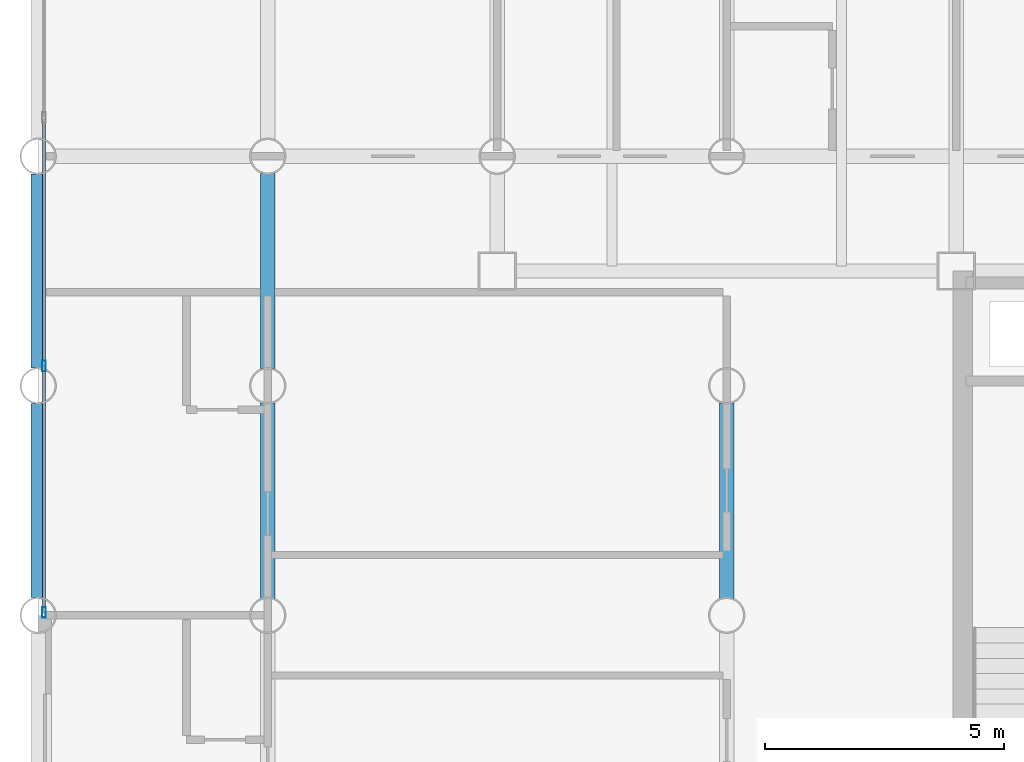
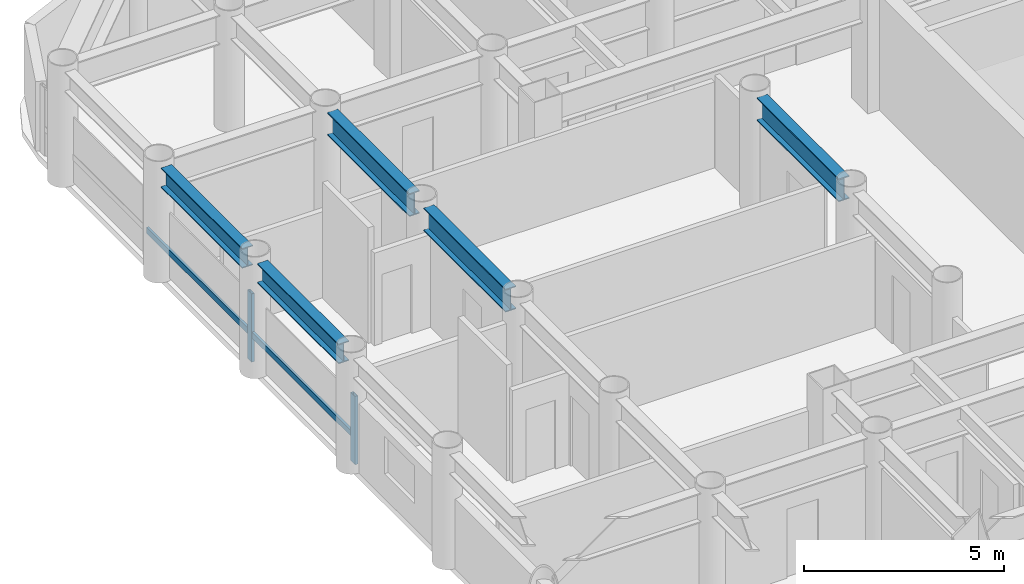
# One storey, part 4 of 22: 5 beams, 4 members, 1 element without a shape of its own.
"""IFC4 building model written with IfcOpenShell, lengths in metres."""

from ifc_helpers import new_model, si_unit, direction, frame, origin, origin_2d, place, context, subcontext, project, spatial, hollow_rectangle, i_section, extrude, material, layer, layer_set, material_profile, profile_set, type_object, element, aggregate, save


model = new_model("IFC4")

# Units and contexts
model_context = context("Model", 3, precision=1e-05, world=origin(), true_north=direction((0.0, 1.0)))
body_context = subcontext(model_context, "Body", "Model", "MODEL_VIEW")
ifc_project = project(units=[si_unit("LENGTHUNIT", "METRE"), si_unit("AREAUNIT", "SQUARE_METRE"), si_unit("VOLUMEUNIT", "CUBIC_METRE"), si_unit("PLANEANGLEUNIT", "RADIAN"), si_unit("MASSUNIT", "GRAM", prefix="KILO")], contexts=[model_context])

# Site, building, storey
site_placement = place(None, origin())
site = spatial("IfcSite", under=ifc_project, at=site_placement, CompositionType="ELEMENT")
building_placement = place(site_placement, origin())
building = spatial("IfcBuilding", under=site, at=building_placement, Name="Kallvorn Hotel Tower", CompositionType="ELEMENT")
storey_placement = place(building_placement, frame((0.0, 0.0, 37.39990234375)))
storey = spatial("IfcBuildingStorey", under=building, at=storey_placement, Name="L07", CompositionType="ELEMENT", Elevation=37.39990234375)

# Beams
ifc_material_1 = material(Name="Structural steel S355JR", Category="steel")
ifc_material_profile_1 = material_profile(ifc_material_1, i_section(OverallWidth=0.300048828125, OverallDepth=0.60009765625, WebThickness=0.015380859375, FlangeThickness=0.030029296875, at=origin_2d()), Name="HE 600 B")
ifc_profile_set_1 = profile_set([ifc_material_profile_1], Name="Structural steel S355JR")
beam_type_1 = type_object("IfcBeamType", Name="BM_HE600B", PredefinedType="SPANDREL", material=ifc_profile_set_1)
beam_1_placement = place(storey_placement, frame((-33.60009765625, 0.37109375, 3.22021484375), z_axis=(0.0, 1.0, 0.0), x_axis=(-1.0, 0.0, 0.0)))
element("IfcBeam", 1, at=beam_1_placement, inside=storey, type_object=beam_type_1, Name="L08 Perimeter Spandrel 178", PredefinedType="SPANDREL", context=body_context, shape_type="SweptSolid", body=[
    extrude(i_section(OverallWidth=0.300048828125, OverallDepth=0.60009765625, WebThickness=0.015380859375, FlangeThickness=0.030029296875, at=origin_2d()), origin(), (0.0, 0.0, 1.0), 4.057861328125),
])
beam_2_placement = place(storey_placement, frame((-33.60009765625, 5.1708984375, 3.22021484375), z_axis=(0.0, 1.0, 0.0), x_axis=(-1.0, 0.0, 0.0)))
element("IfcBeam", 2, at=beam_2_placement, inside=storey, type_object=beam_type_1, Name="L08 Perimeter Spandrel 179", PredefinedType="SPANDREL", context=body_context, shape_type="SweptSolid", body=[
    extrude(i_section(OverallWidth=0.300048828125, OverallDepth=0.60009765625, WebThickness=0.015380859375, FlangeThickness=0.030029296875, at=origin_2d()), origin(), (0.0, 0.0, 1.0), 4.05810546875),
])
ifc_material_2 = material(Name="Structural steel S355JR", Category="steel")
ifc_material_profile_2 = material_profile(ifc_material_2, i_section(OverallWidth=0.300048828125, OverallDepth=0.699951171875, WebThickness=0.01708984375, FlangeThickness=0.031982421875, at=origin_2d()), Name="HE 700 B")
ifc_profile_set_2 = profile_set([ifc_material_profile_2], Name="Structural steel S355JR")
beam_type_2 = type_object("IfcBeamType", Name="BM_HE700B", PredefinedType="BEAM", material=ifc_profile_set_2)
beam_3_placement = place(storey_placement, frame((-28.800048828125, 0.35595703125, 3.170166015625), z_axis=(0.0, 1.0, 0.0), x_axis=(-1.0, 0.0, 0.0)))
element("IfcBeam", 3, at=beam_3_placement, inside=storey, type_object=beam_type_2, Name="L08 Primary Y-Girder 78", PredefinedType="BEAM", context=body_context, shape_type="SweptSolid", body=[
    extrude(i_section(OverallWidth=0.300048828125, OverallDepth=0.699951171875, WebThickness=0.01708984375, FlangeThickness=0.031982421875, at=origin_2d()), origin(), (0.0, 0.0, 1.0), 4.088134765625),
])
beam_4_placement = place(storey_placement, frame((-28.800048828125, 5.156005859375, 3.170166015625), z_axis=(0.0, 1.0, 0.0), x_axis=(-1.0, 0.0, 0.0)))
element("IfcBeam", 4, at=beam_4_placement, inside=storey, type_object=beam_type_2, Name="L08 Primary Y-Girder 79", PredefinedType="BEAM", context=body_context, shape_type="SweptSolid", body=[
    extrude(i_section(OverallWidth=0.300048828125, OverallDepth=0.699951171875, WebThickness=0.01708984375, FlangeThickness=0.031982421875, at=origin_2d()), origin(), (0.0, 0.0, 1.0), 4.087890625),
])
beam_5_placement = place(storey_placement, frame((-19.199951171875, 0.35595703125, 3.170166015625), z_axis=(0.0, 1.0, 0.0), x_axis=(-1.0, 0.0, 0.0)))
element("IfcBeam", 5, at=beam_5_placement, inside=storey, type_object=beam_type_2, Name="L08 Primary Y-Girder 94", PredefinedType="BEAM", context=body_context, shape_type="SweptSolid", body=[
    extrude(i_section(OverallWidth=0.300048828125, OverallDepth=0.699951171875, WebThickness=0.01708984375, FlangeThickness=0.031982421875, at=origin_2d()), origin(), (0.0, 0.0, 1.0), 4.088134765625),
])

# Curtain wall, members
ifc_material_3 = material(Name="Thermally broken black-anodised aluminium AA 6063-T6", Category="aluminium")
ifc_layer = layer(ifc_material_3, 0.199951171875)
ifc_layer_set = layer_set([ifc_layer], Name="CW_SYS_3_HOTEL_LOW")
curtain_wall_type = type_object("IfcCurtainWallType", Name="CW_SYS_3_HOTEL_LOW", PredefinedType="USERDEFINED", material=ifc_layer_set)
curtain_wall_placement = place(storey_placement, origin())
curtain_wall = element("IfcCurtainWall", 6, at=curtain_wall_placement, inside=storey, type_object=curtain_wall_type, Name="L07 Dark-Glass Curtain Wall CW-L07-WN", ObjectType="UNITISED CURTAIN WALL", PredefinedType="USERDEFINED")
ifc_material_4 = material(Name="Thermally broken black-anodised aluminium AA 6063-T6", Category="aluminium")
ifc_material_profile_3 = material_profile(ifc_material_4, hollow_rectangle(XDim=0.080078125, YDim=0.219970703125, WallThickness=0.0048828125, at=origin_2d()), Name="MUL 220x80")
ifc_profile_set_3 = profile_set([ifc_material_profile_3], Name="Thermally broken black-anodised aluminium AA 6063-T6")
member_type_1 = type_object("IfcMemberType", Name="CW_MULLION_220x80", PredefinedType="MULLION", material=ifc_profile_set_3)
member_1_placement = place(storey_placement, frame((-33.47998046875, 0.06005859375, 0.02001953125), z_axis=(0.0, 0.0, 1.0), x_axis=(1.0, 0.0, 0.0)))
member_1 = element("IfcMember", 7, at=member_1_placement, type_object=member_type_1, Name="CW-L07-WN Mullion 00", PredefinedType="MULLION", context=body_context, shape_type="SweptSolid", body=[
    extrude(hollow_rectangle(XDim=0.080078125, YDim=0.219970703125, WallThickness=0.0048828125, at=origin_2d()), origin(), (0.0, 0.0, 1.0), 2.080078125),
])
member_2_placement = place(storey_placement, frame((-33.47998046875, 5.21337890625, 0.02001953125), z_axis=(0.0, 0.0, 1.0), x_axis=(1.0, 0.0, 0.0)))
member_2 = element("IfcMember", 8, at=member_2_placement, type_object=member_type_1, Name="CW-L07-WN Mullion 01", PredefinedType="MULLION", context=body_context, shape_type="SweptSolid", body=[
    extrude(hollow_rectangle(XDim=0.080078125, YDim=0.219970703125, WallThickness=0.0048828125, at=origin_2d()), origin(), (0.0, 0.0, 1.0), 2.080078125),
])
ifc_material_5 = material(Name="Thermally broken black-anodised aluminium AA 6063-T6", Category="aluminium")
ifc_material_profile_4 = material_profile(ifc_material_5, hollow_rectangle(XDim=0.070068359375, YDim=0.179931640625, WallThickness=0.00390625, at=origin_2d()), Name="TRN 180x70")
ifc_profile_set_4 = profile_set([ifc_material_profile_4], Name="Thermally broken black-anodised aluminium AA 6063-T6")
member_type_2 = type_object("IfcMemberType", Name="CW_TRANSOM_180x70", PredefinedType="USERDEFINED", material=ifc_profile_set_4)
member_3_placement = place(storey_placement, frame((-33.47998046875, 0.06005859375, 0.85009765625), z_axis=(0.0, 1.0, 0.0), x_axis=(-1.0, 0.0, 0.0)))
member_3 = element("IfcMember", 9, at=member_3_placement, type_object=member_type_2, Name="CW-L07-WN Transom 00M", ObjectType="TRANSOM", PredefinedType="USERDEFINED", context=body_context, shape_type="SweptSolid", body=[
    extrude(hollow_rectangle(XDim=0.070068359375, YDim=0.179931640625, WallThickness=0.00390625, at=origin_2d()), origin(), (0.0, 0.0, 1.0), 5.11328125),
])
member_4_placement = place(storey_placement, frame((-33.47998046875, 5.25341796875, 0.85009765625), z_axis=(0.0, 1.0, 0.0), x_axis=(-1.0, 0.0, 0.0)))
member_4 = element("IfcMember", 10, at=member_4_placement, type_object=member_type_2, Name="CW-L07-WN Transom 01M", ObjectType="TRANSOM", PredefinedType="USERDEFINED", context=body_context, shape_type="SweptSolid", body=[
    extrude(hollow_rectangle(XDim=0.070068359375, YDim=0.179931640625, WallThickness=0.00390625, at=origin_2d()), origin(), (0.0, 0.0, 1.0), 5.11328125),
])
aggregate(curtain_wall, [member_1, member_2, member_3, member_4])

save(model, "model.ifc")
